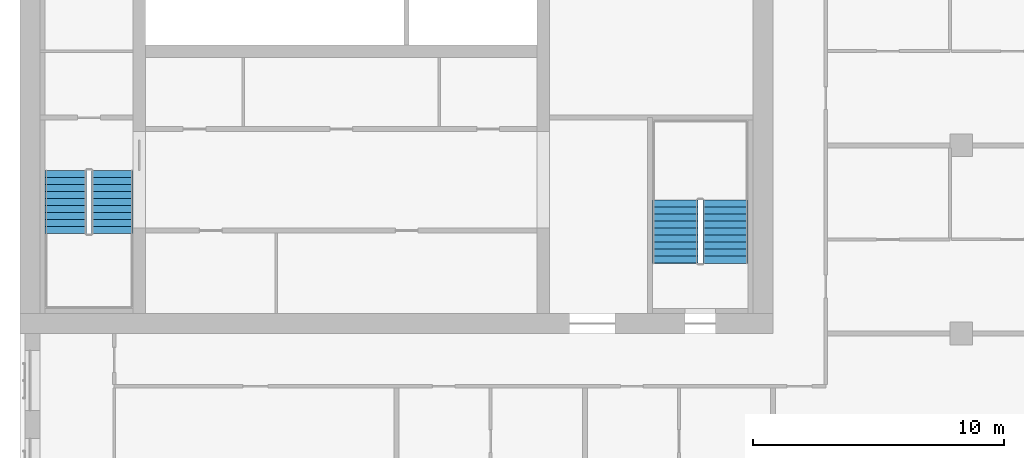
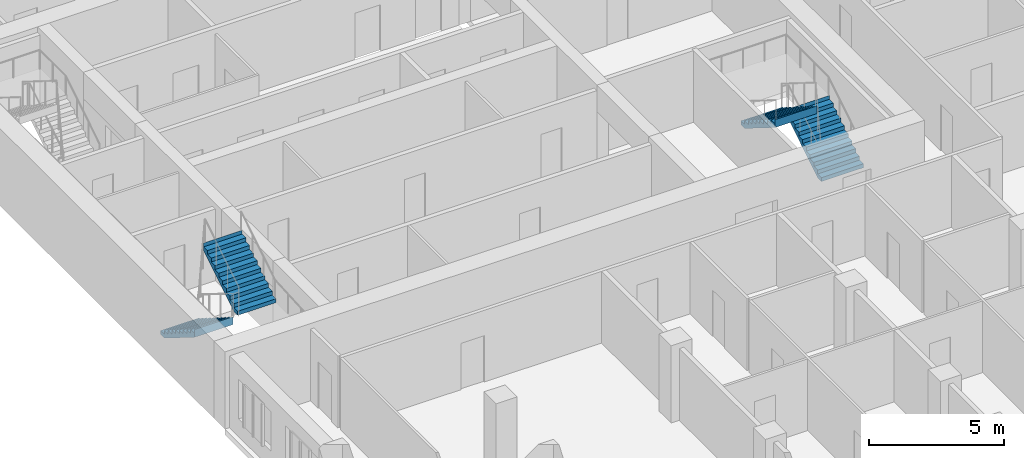
# One storey, part 12 of 14: 4 stair flights, 2 elements without a shape of their own.
"""IFC4 building model written with IfcOpenShell, lengths in metres."""

from ifc_helpers import new_model, si_unit, direction, frame, origin, place, context, subcontext, project, spatial, polyline, outline, extrude, material, type_object, element, aggregate, save


model = new_model("IFC4")

# Units and contexts
model_context = context("Model", 3, precision=1e-05, world=origin(), true_north=direction((0.0, 1.0)))
body_context = subcontext(model_context, "Body", "Model", "MODEL_VIEW")
ifc_project = project(units=[si_unit("LENGTHUNIT", "METRE"), si_unit("AREAUNIT", "SQUARE_METRE"), si_unit("VOLUMEUNIT", "CUBIC_METRE"), si_unit("PLANEANGLEUNIT", "RADIAN"), si_unit("MASSUNIT", "GRAM", prefix="KILO")], contexts=[model_context])

# Site, building, storey
site_placement = place(None, origin())
site = spatial("IfcSite", under=ifc_project, at=site_placement, CompositionType="ELEMENT")
building_placement = place(site_placement, origin())
building = spatial("IfcBuilding", under=site, at=building_placement, Name="Tamorin Gate", CompositionType="ELEMENT")
storey_placement = place(building_placement, frame((0.0, 0.0, 189.699951171875)))
storey = spatial("IfcBuildingStorey", under=building, at=storey_placement, Name="L46", CompositionType="ELEMENT", Elevation=189.699951171875)

# Stair, stair flights
ifc_material = material(Name="Concrete C40/50", Category="concrete")
stair_type = type_object("IfcStairType", Name="Exit stair", PredefinedType="HALF_TURN_STAIR", material=ifc_material)
stair_1_placement = place(storey_placement, origin())
stair_1 = element("IfcStair", 1, at=stair_1_placement, inside=storey, type_object=stair_type, Name="L46 stair ST1", PredefinedType="HALF_TURN_STAIR")
stair_flight_type = type_object("IfcStairFlightType", Name="Exit stair flight", PredefinedType="STRAIGHT", material=ifc_material)
stair_flight_1_placement = place(storey_placement, frame((31.824951171875, 66.5, 0.0), z_axis=(0.0, 0.0, 1.0), x_axis=(0.0, -1.0, 0.0)))
stair_flight_1 = element("IfcStairFlight", 2, at=stair_flight_1_placement, type_object=stair_flight_type, Name="ST1 flight 1", NumberOfRisers=10, NumberOfTreads=9, PredefinedType="STRAIGHT", RiserHeight=0.175, TreadLength=0.28, context=body_context, shape_type="SweptSolid", body=[
    extrude(outline(polyline([(-0.00048828125, 0.0), (-0.00048828125, 0.001708984375), (-0.00048828125, 0.00341796875), (-0.00048828125, 0.005126953125), (-0.00048828125, 0.0068359375), (-0.00048828125, 0.008544921875), (-0.00048828125, 0.010498046875), (-0.00048828125, 0.01220703125), (-0.00048828125, 0.013916015625), (-0.00048828125, 0.015625), (-0.00048828125, 0.017333984375), (-0.00048828125, 0.01904296875), (-0.00048828125, 0.020751953125), (-0.00048828125, 0.0224609375), (-0.00048828125, 0.024169921875), (-0.00048828125, 0.02587890625), (-0.00048828125, 0.02783203125), (-0.00048828125, 0.029541015625), (-0.00048828125, 0.03125), (-0.00048828125, 0.032958984375), (-0.00048828125, 0.03466796875), (-0.00048828125, 0.036376953125), (-0.00048828125, 0.0380859375), (-0.00048828125, 0.039794921875), (-0.00048828125, 0.04150390625), (-0.00048828125, 0.043212890625), (-0.00048828125, 0.045166015625), (-0.00048828125, 0.046875), (-0.00048828125, 0.048583984375), (-0.00048828125, 0.05029296875), (-0.00048828125, 0.052001953125), (-0.00048828125, 0.0537109375), (-0.00048828125, 0.055419921875), (-0.00048828125, 0.05712890625), (-0.00048828125, 0.058837890625), (-0.00048828125, 0.060546875), (-0.00048828125, 0.062255859375), (-0.00048828125, 0.064208984375), (-0.00048828125, 0.06591796875), (-0.00048828125, 0.067626953125), (-0.00048828125, 0.0693359375), (-0.00048828125, 0.071044921875), (-0.00048828125, 0.07275390625), (-0.00048828125, 0.074462890625), (-0.00048828125, 0.076171875), (-0.00048828125, 0.077880859375), (-0.00048828125, 0.07958984375), (-0.00048828125, 0.08154296875), (-0.00048828125, 0.083251953125), (-0.00048828125, 0.0849609375), (-0.00048828125, 0.086669921875), (-0.00048828125, 0.08837890625), (-0.00048828125, 0.090087890625), (-0.00048828125, 0.091796875), (-0.00048828125, 0.093505859375), (-0.00048828125, 0.09521484375), (-0.00048828125, 0.096923828125), (-0.00048828125, 0.098876953125), (-0.00048828125, 0.1005859375), (-0.00048828125, 0.102294921875), (-0.00048828125, 0.10400390625), (-0.00048828125, 0.105712890625), (-0.00048828125, 0.107421875), (-0.00048828125, 0.109130859375), (-0.00048828125, 0.11083984375), (-0.00048828125, 0.112548828125), (-0.00048828125, 0.1142578125), (-0.00048828125, 0.1162109375), (-0.00048828125, 0.117919921875), (-0.00048828125, 0.11962890625), (-0.00048828125, 0.121337890625), (-0.00048828125, 0.123046875), (-0.00048828125, 0.124755859375), (-0.00048828125, 0.12646484375), (-0.00048828125, 0.128173828125), (-0.00048828125, 0.1298828125), (-0.00048828125, 0.131591796875), (-0.00048828125, 0.13330078125), (-0.00048828125, 0.13525390625), (-0.00048828125, 0.136962890625), (-0.00048828125, 0.138671875), (-0.00048828125, 0.140380859375), (-0.00048828125, 0.14208984375), (-0.00048828125, 0.143798828125), (-0.00048828125, 0.1455078125), (-0.00048828125, 0.147216796875), (-0.00048828125, 0.14892578125), (-0.00048828125, 0.150634765625), (-0.00048828125, 0.152587890625), (-0.00048828125, 0.154296875), (-0.00048828125, 0.156005859375), (-0.00048828125, 0.15771484375), (-0.00048828125, 0.159423828125), (-0.00048828125, 0.1611328125), (-0.00048828125, 0.162841796875), (-0.00048828125, 0.16455078125), (-0.00048828125, 0.166259765625), (-0.00048828125, 0.16796875), (-0.00048828125, 0.169921875), (-0.00048828125, 0.171630859375), (-0.00048828125, 0.17333984375), (-0.00048828125, 0.175048828125), (0.280029296875, 0.175048828125), (0.280029296875, 0.35009765625), (0.56005859375, 0.35009765625), (0.56005859375, 0.52490234375), (0.840087890625, 0.52490234375), (0.840087890625, 0.699951171875), (1.1201171875, 0.699951171875), (1.1201171875, 0.875), (1.39990234375, 0.875), (1.39990234375, 1.050048828125), (1.679931640625, 1.050048828125), (1.679931640625, 1.22509765625), (1.9599609375, 1.22509765625), (1.9599609375, 1.39990234375), (2.239990234375, 1.39990234375), (2.239990234375, 1.574951171875), (2.52001953125, 1.574951171875), (2.52001953125, 1.75), (2.5205078125, 1.75), (2.5205078125, 1.74658203125), (2.5205078125, 1.742919921875), (2.5205078125, 1.739501953125), (2.5205078125, 1.736083984375), (2.5205078125, 1.732666015625), (2.5205078125, 1.72900390625), (2.5205078125, 1.7255859375), (2.5205078125, 1.72216796875), (2.5205078125, 1.71875), (2.5205078125, 1.715087890625), (2.5205078125, 1.711669921875), (2.5205078125, 1.708251953125), (2.5205078125, 1.704833984375), (2.5205078125, 1.701171875), (2.5205078125, 1.69775390625), (2.5205078125, 1.6943359375), (2.5205078125, 1.690673828125), (2.5205078125, 1.687255859375), (2.5205078125, 1.683837890625), (2.5205078125, 1.680419921875), (2.5205078125, 1.6767578125), (2.5205078125, 1.67333984375), (2.5205078125, 1.669921875), (2.5205078125, 1.66650390625), (2.5205078125, 1.662841796875), (2.5205078125, 1.659423828125), (2.5205078125, 1.656005859375), (2.5205078125, 1.652587890625), (2.5205078125, 1.64892578125), (2.5205078125, 1.6455078125), (2.5205078125, 1.64208984375), (2.5205078125, 1.638427734375), (2.5205078125, 1.635009765625), (2.5205078125, 1.631591796875), (2.5205078125, 1.628173828125), (2.5205078125, 1.62451171875), (2.5205078125, 1.62109375), (2.5205078125, 1.61767578125), (2.5205078125, 1.6142578125), (2.5205078125, 1.610595703125), (2.5205078125, 1.607177734375), (2.5205078125, 1.603759765625), (2.5205078125, 1.600341796875), (2.5205078125, 1.5966796875), (2.5205078125, 1.59326171875), (2.5205078125, 1.58984375), (2.5205078125, 1.58642578125), (2.5205078125, 1.582763671875), (2.5205078125, 1.579345703125), (2.5205078125, 1.575927734375), (2.5205078125, 1.572265625), (2.5205078125, 1.56884765625), (2.5205078125, 1.5654296875), (2.5205078125, 1.56201171875), (2.5205078125, 1.558349609375), (2.5205078125, 1.554931640625), (2.5205078125, 1.551513671875), (2.5205078125, 1.548095703125), (2.5205078125, 1.54443359375), (2.5205078125, 1.541015625), (2.5205078125, 1.53759765625), (2.5205078125, 1.5341796875), (2.5205078125, 1.530517578125), (2.5205078125, 1.527099609375), (2.5205078125, 1.523681640625), (2.5205078125, 1.52001953125), (2.5205078125, 1.5166015625), (2.5205078125, 1.51318359375), (2.5205078125, 1.509765625), (2.5205078125, 1.506103515625), (2.5205078125, 1.502685546875), (2.5205078125, 1.499267578125), (2.5205078125, 1.495849609375), (2.5205078125, 1.4921875), (2.5205078125, 1.48876953125), (2.5205078125, 1.4853515625), (2.5205078125, 1.48193359375), (2.5205078125, 1.478271484375), (2.5205078125, 1.474853515625), (2.5205078125, 1.471435546875), (2.5205078125, 1.4677734375), (2.5205078125, 1.46435546875), (2.5205078125, 1.4609375), (2.5205078125, 1.45751953125), (2.5205078125, 1.453857421875), (2.5205078125, 1.450439453125), (2.5205078125, 1.447021484375), (2.5205078125, 1.443603515625), (2.5205078125, 1.43994140625), (2.5205078125, 1.4365234375), (2.5205078125, 1.43310546875), (2.5205078125, 1.4296875), (2.5205078125, 1.426025390625), (2.5205078125, 1.422607421875), (2.5205078125, 1.419189453125), (2.5205078125, 1.41552734375), (2.5205078125, 1.412109375), (2.5205078125, 1.40869140625), (2.5205078125, 1.4052734375), (2.5205078125, 1.401611328125), (2.5205078125, 1.398193359375), (2.52001953125, 1.398193359375), (0.28271484375, 0.0), (-0.00048828125, 0.0)])), frame((0.0, 0.824951171875, 0.0), z_axis=(0.0, -1.0, 0.0), x_axis=(1.0, 0.0, 0.0)), (0.0, 0.0, 1.0), 1.64990234375),
])
stair_flight_2_placement = place(storey_placement, frame((33.675048828125, 63.97998046875, 1.75), z_axis=(0.0, 0.0, 1.0), x_axis=(0.0, 1.0, 0.0)))
stair_flight_2 = element("IfcStairFlight", 3, at=stair_flight_2_placement, type_object=stair_flight_type, Name="ST1 flight 2", NumberOfRisers=10, NumberOfTreads=9, PredefinedType="STRAIGHT", RiserHeight=0.175, TreadLength=0.28, context=body_context, shape_type="SweptSolid", body=[
    extrude(outline(polyline([(-0.00048828125, 0.0), (-0.00048828125, 0.001708984375), (-0.00048828125, 0.00341796875), (-0.00048828125, 0.005126953125), (-0.00048828125, 0.0068359375), (-0.00048828125, 0.008544921875), (-0.00048828125, 0.010498046875), (-0.00048828125, 0.01220703125), (-0.00048828125, 0.013916015625), (-0.00048828125, 0.015625), (-0.00048828125, 0.017333984375), (-0.00048828125, 0.01904296875), (-0.00048828125, 0.020751953125), (-0.00048828125, 0.0224609375), (-0.00048828125, 0.024169921875), (-0.00048828125, 0.02587890625), (-0.00048828125, 0.02783203125), (-0.00048828125, 0.029541015625), (-0.00048828125, 0.03125), (-0.00048828125, 0.032958984375), (-0.00048828125, 0.03466796875), (-0.00048828125, 0.036376953125), (-0.00048828125, 0.0380859375), (-0.00048828125, 0.039794921875), (-0.00048828125, 0.04150390625), (-0.00048828125, 0.043212890625), (-0.00048828125, 0.045166015625), (-0.00048828125, 0.046875), (-0.00048828125, 0.048583984375), (-0.00048828125, 0.05029296875), (-0.00048828125, 0.052001953125), (-0.00048828125, 0.0537109375), (-0.00048828125, 0.055419921875), (-0.00048828125, 0.05712890625), (-0.00048828125, 0.058837890625), (-0.00048828125, 0.060546875), (-0.00048828125, 0.062255859375), (-0.00048828125, 0.064208984375), (-0.00048828125, 0.06591796875), (-0.00048828125, 0.067626953125), (-0.00048828125, 0.0693359375), (-0.00048828125, 0.071044921875), (-0.00048828125, 0.07275390625), (-0.00048828125, 0.074462890625), (-0.00048828125, 0.076171875), (-0.00048828125, 0.077880859375), (-0.00048828125, 0.07958984375), (-0.00048828125, 0.08154296875), (-0.00048828125, 0.083251953125), (-0.00048828125, 0.0849609375), (-0.00048828125, 0.086669921875), (-0.00048828125, 0.08837890625), (-0.00048828125, 0.090087890625), (-0.00048828125, 0.091796875), (-0.00048828125, 0.093505859375), (-0.00048828125, 0.09521484375), (-0.00048828125, 0.096923828125), (-0.00048828125, 0.098876953125), (-0.00048828125, 0.1005859375), (-0.00048828125, 0.102294921875), (-0.00048828125, 0.10400390625), (-0.00048828125, 0.105712890625), (-0.00048828125, 0.107421875), (-0.00048828125, 0.109130859375), (-0.00048828125, 0.11083984375), (-0.00048828125, 0.112548828125), (-0.00048828125, 0.1142578125), (-0.00048828125, 0.1162109375), (-0.00048828125, 0.117919921875), (-0.00048828125, 0.11962890625), (-0.00048828125, 0.121337890625), (-0.00048828125, 0.123046875), (-0.00048828125, 0.124755859375), (-0.00048828125, 0.12646484375), (-0.00048828125, 0.128173828125), (-0.00048828125, 0.1298828125), (-0.00048828125, 0.131591796875), (-0.00048828125, 0.13330078125), (-0.00048828125, 0.13525390625), (-0.00048828125, 0.136962890625), (-0.00048828125, 0.138671875), (-0.00048828125, 0.140380859375), (-0.00048828125, 0.14208984375), (-0.00048828125, 0.143798828125), (-0.00048828125, 0.1455078125), (-0.00048828125, 0.147216796875), (-0.00048828125, 0.14892578125), (-0.00048828125, 0.150634765625), (-0.00048828125, 0.152587890625), (-0.00048828125, 0.154296875), (-0.00048828125, 0.156005859375), (-0.00048828125, 0.15771484375), (-0.00048828125, 0.159423828125), (-0.00048828125, 0.1611328125), (-0.00048828125, 0.162841796875), (-0.00048828125, 0.16455078125), (-0.00048828125, 0.166259765625), (-0.00048828125, 0.16796875), (-0.00048828125, 0.169921875), (-0.00048828125, 0.171630859375), (-0.00048828125, 0.17333984375), (-0.00048828125, 0.175048828125), (0.280029296875, 0.175048828125), (0.280029296875, 0.35009765625), (0.56005859375, 0.35009765625), (0.56005859375, 0.52490234375), (0.840087890625, 0.52490234375), (0.840087890625, 0.699951171875), (1.1201171875, 0.699951171875), (1.1201171875, 0.875), (1.39990234375, 0.875), (1.39990234375, 1.050048828125), (1.679931640625, 1.050048828125), (1.679931640625, 1.22509765625), (1.9599609375, 1.22509765625), (1.9599609375, 1.39990234375), (2.239990234375, 1.39990234375), (2.239990234375, 1.574951171875), (2.52001953125, 1.574951171875), (2.52001953125, 1.75), (2.5205078125, 1.75), (2.5205078125, 1.74658203125), (2.5205078125, 1.742919921875), (2.5205078125, 1.739501953125), (2.5205078125, 1.736083984375), (2.5205078125, 1.732666015625), (2.5205078125, 1.72900390625), (2.5205078125, 1.7255859375), (2.5205078125, 1.72216796875), (2.5205078125, 1.71875), (2.5205078125, 1.715087890625), (2.5205078125, 1.711669921875), (2.5205078125, 1.708251953125), (2.5205078125, 1.704833984375), (2.5205078125, 1.701171875), (2.5205078125, 1.69775390625), (2.5205078125, 1.6943359375), (2.5205078125, 1.690673828125), (2.5205078125, 1.687255859375), (2.5205078125, 1.683837890625), (2.5205078125, 1.680419921875), (2.5205078125, 1.6767578125), (2.5205078125, 1.67333984375), (2.5205078125, 1.669921875), (2.5205078125, 1.66650390625), (2.5205078125, 1.662841796875), (2.5205078125, 1.659423828125), (2.5205078125, 1.656005859375), (2.5205078125, 1.652587890625), (2.5205078125, 1.64892578125), (2.5205078125, 1.6455078125), (2.5205078125, 1.64208984375), (2.5205078125, 1.638427734375), (2.5205078125, 1.635009765625), (2.5205078125, 1.631591796875), (2.5205078125, 1.628173828125), (2.5205078125, 1.62451171875), (2.5205078125, 1.62109375), (2.5205078125, 1.61767578125), (2.5205078125, 1.6142578125), (2.5205078125, 1.610595703125), (2.5205078125, 1.607177734375), (2.5205078125, 1.603759765625), (2.5205078125, 1.600341796875), (2.5205078125, 1.5966796875), (2.5205078125, 1.59326171875), (2.5205078125, 1.58984375), (2.5205078125, 1.58642578125), (2.5205078125, 1.582763671875), (2.5205078125, 1.579345703125), (2.5205078125, 1.575927734375), (2.5205078125, 1.572265625), (2.5205078125, 1.56884765625), (2.5205078125, 1.5654296875), (2.5205078125, 1.56201171875), (2.5205078125, 1.558349609375), (2.5205078125, 1.554931640625), (2.5205078125, 1.551513671875), (2.5205078125, 1.548095703125), (2.5205078125, 1.54443359375), (2.5205078125, 1.541015625), (2.5205078125, 1.53759765625), (2.5205078125, 1.5341796875), (2.5205078125, 1.530517578125), (2.5205078125, 1.527099609375), (2.5205078125, 1.523681640625), (2.5205078125, 1.52001953125), (2.5205078125, 1.5166015625), (2.5205078125, 1.51318359375), (2.5205078125, 1.509765625), (2.5205078125, 1.506103515625), (2.5205078125, 1.502685546875), (2.5205078125, 1.499267578125), (2.5205078125, 1.495849609375), (2.5205078125, 1.4921875), (2.5205078125, 1.48876953125), (2.5205078125, 1.4853515625), (2.5205078125, 1.48193359375), (2.5205078125, 1.478271484375), (2.5205078125, 1.474853515625), (2.5205078125, 1.471435546875), (2.5205078125, 1.4677734375), (2.5205078125, 1.46435546875), (2.5205078125, 1.4609375), (2.5205078125, 1.45751953125), (2.5205078125, 1.453857421875), (2.5205078125, 1.450439453125), (2.5205078125, 1.447021484375), (2.5205078125, 1.443603515625), (2.5205078125, 1.43994140625), (2.5205078125, 1.4365234375), (2.5205078125, 1.43310546875), (2.5205078125, 1.4296875), (2.5205078125, 1.426025390625), (2.5205078125, 1.422607421875), (2.5205078125, 1.419189453125), (2.5205078125, 1.41552734375), (2.5205078125, 1.412109375), (2.5205078125, 1.40869140625), (2.5205078125, 1.4052734375), (2.5205078125, 1.401611328125), (2.5205078125, 1.398193359375), (2.52001953125, 1.398193359375), (0.28271484375, 0.0), (-0.00048828125, 0.0)])), frame((0.0, 0.824951171875, 0.0), z_axis=(0.0, -1.0, 0.0), x_axis=(1.0, 0.0, 0.0)), (0.0, 0.0, 1.0), 1.64990234375),
])
aggregate(stair_1, [stair_flight_1, stair_flight_2])

stair_2_placement = place(storey_placement, origin())
stair_2 = element("IfcStair", 4, at=stair_2_placement, inside=storey, type_object=stair_type, Name="L46 stair ST3", PredefinedType="HALF_TURN_STAIR")
stair_flight_3_placement = place(storey_placement, frame((58.10009765625, 62.800048828125, 0.0), z_axis=(0.0, 0.0, 1.0), x_axis=(0.0, 1.0, 0.0)))
stair_flight_3 = element("IfcStairFlight", 5, at=stair_flight_3_placement, type_object=stair_flight_type, Name="ST3 flight 1", NumberOfRisers=10, NumberOfTreads=9, PredefinedType="STRAIGHT", RiserHeight=0.175, TreadLength=0.28, context=body_context, shape_type="SweptSolid", body=[
    extrude(outline(polyline([(-0.00048828125, 0.0), (-0.00048828125, 0.001708984375), (-0.00048828125, 0.00341796875), (-0.00048828125, 0.005126953125), (-0.00048828125, 0.0068359375), (-0.00048828125, 0.008544921875), (-0.00048828125, 0.010498046875), (-0.00048828125, 0.01220703125), (-0.00048828125, 0.013916015625), (-0.00048828125, 0.015625), (-0.00048828125, 0.017333984375), (-0.00048828125, 0.01904296875), (-0.00048828125, 0.020751953125), (-0.00048828125, 0.0224609375), (-0.00048828125, 0.024169921875), (-0.00048828125, 0.02587890625), (-0.00048828125, 0.02783203125), (-0.00048828125, 0.029541015625), (-0.00048828125, 0.03125), (-0.00048828125, 0.032958984375), (-0.00048828125, 0.03466796875), (-0.00048828125, 0.036376953125), (-0.00048828125, 0.0380859375), (-0.00048828125, 0.039794921875), (-0.00048828125, 0.04150390625), (-0.00048828125, 0.043212890625), (-0.00048828125, 0.045166015625), (-0.00048828125, 0.046875), (-0.00048828125, 0.048583984375), (-0.00048828125, 0.05029296875), (-0.00048828125, 0.052001953125), (-0.00048828125, 0.0537109375), (-0.00048828125, 0.055419921875), (-0.00048828125, 0.05712890625), (-0.00048828125, 0.058837890625), (-0.00048828125, 0.060546875), (-0.00048828125, 0.062255859375), (-0.00048828125, 0.064208984375), (-0.00048828125, 0.06591796875), (-0.00048828125, 0.067626953125), (-0.00048828125, 0.0693359375), (-0.00048828125, 0.071044921875), (-0.00048828125, 0.07275390625), (-0.00048828125, 0.074462890625), (-0.00048828125, 0.076171875), (-0.00048828125, 0.077880859375), (-0.00048828125, 0.07958984375), (-0.00048828125, 0.08154296875), (-0.00048828125, 0.083251953125), (-0.00048828125, 0.0849609375), (-0.00048828125, 0.086669921875), (-0.00048828125, 0.08837890625), (-0.00048828125, 0.090087890625), (-0.00048828125, 0.091796875), (-0.00048828125, 0.093505859375), (-0.00048828125, 0.09521484375), (-0.00048828125, 0.096923828125), (-0.00048828125, 0.098876953125), (-0.00048828125, 0.1005859375), (-0.00048828125, 0.102294921875), (-0.00048828125, 0.10400390625), (-0.00048828125, 0.105712890625), (-0.00048828125, 0.107421875), (-0.00048828125, 0.109130859375), (-0.00048828125, 0.11083984375), (-0.00048828125, 0.112548828125), (-0.00048828125, 0.1142578125), (-0.00048828125, 0.1162109375), (-0.00048828125, 0.117919921875), (-0.00048828125, 0.11962890625), (-0.00048828125, 0.121337890625), (-0.00048828125, 0.123046875), (-0.00048828125, 0.124755859375), (-0.00048828125, 0.12646484375), (-0.00048828125, 0.128173828125), (-0.00048828125, 0.1298828125), (-0.00048828125, 0.131591796875), (-0.00048828125, 0.13330078125), (-0.00048828125, 0.13525390625), (-0.00048828125, 0.136962890625), (-0.00048828125, 0.138671875), (-0.00048828125, 0.140380859375), (-0.00048828125, 0.14208984375), (-0.00048828125, 0.143798828125), (-0.00048828125, 0.1455078125), (-0.00048828125, 0.147216796875), (-0.00048828125, 0.14892578125), (-0.00048828125, 0.150634765625), (-0.00048828125, 0.152587890625), (-0.00048828125, 0.154296875), (-0.00048828125, 0.156005859375), (-0.00048828125, 0.15771484375), (-0.00048828125, 0.159423828125), (-0.00048828125, 0.1611328125), (-0.00048828125, 0.162841796875), (-0.00048828125, 0.16455078125), (-0.00048828125, 0.166259765625), (-0.00048828125, 0.16796875), (-0.00048828125, 0.169921875), (-0.00048828125, 0.171630859375), (-0.00048828125, 0.17333984375), (-0.00048828125, 0.175048828125), (0.280029296875, 0.175048828125), (0.280029296875, 0.35009765625), (0.56005859375, 0.35009765625), (0.56005859375, 0.52490234375), (0.840087890625, 0.52490234375), (0.840087890625, 0.699951171875), (1.1201171875, 0.699951171875), (1.1201171875, 0.875), (1.39990234375, 0.875), (1.39990234375, 1.050048828125), (1.679931640625, 1.050048828125), (1.679931640625, 1.22509765625), (1.9599609375, 1.22509765625), (1.9599609375, 1.39990234375), (2.239990234375, 1.39990234375), (2.239990234375, 1.574951171875), (2.52001953125, 1.574951171875), (2.52001953125, 1.75), (2.5205078125, 1.75), (2.5205078125, 1.74658203125), (2.5205078125, 1.742919921875), (2.5205078125, 1.739501953125), (2.5205078125, 1.736083984375), (2.5205078125, 1.732666015625), (2.5205078125, 1.72900390625), (2.5205078125, 1.7255859375), (2.5205078125, 1.72216796875), (2.5205078125, 1.71875), (2.5205078125, 1.715087890625), (2.5205078125, 1.711669921875), (2.5205078125, 1.708251953125), (2.5205078125, 1.704833984375), (2.5205078125, 1.701171875), (2.5205078125, 1.69775390625), (2.5205078125, 1.6943359375), (2.5205078125, 1.690673828125), (2.5205078125, 1.687255859375), (2.5205078125, 1.683837890625), (2.5205078125, 1.680419921875), (2.5205078125, 1.6767578125), (2.5205078125, 1.67333984375), (2.5205078125, 1.669921875), (2.5205078125, 1.66650390625), (2.5205078125, 1.662841796875), (2.5205078125, 1.659423828125), (2.5205078125, 1.656005859375), (2.5205078125, 1.652587890625), (2.5205078125, 1.64892578125), (2.5205078125, 1.6455078125), (2.5205078125, 1.64208984375), (2.5205078125, 1.638427734375), (2.5205078125, 1.635009765625), (2.5205078125, 1.631591796875), (2.5205078125, 1.628173828125), (2.5205078125, 1.62451171875), (2.5205078125, 1.62109375), (2.5205078125, 1.61767578125), (2.5205078125, 1.6142578125), (2.5205078125, 1.610595703125), (2.5205078125, 1.607177734375), (2.5205078125, 1.603759765625), (2.5205078125, 1.600341796875), (2.5205078125, 1.5966796875), (2.5205078125, 1.59326171875), (2.5205078125, 1.58984375), (2.5205078125, 1.58642578125), (2.5205078125, 1.582763671875), (2.5205078125, 1.579345703125), (2.5205078125, 1.575927734375), (2.5205078125, 1.572265625), (2.5205078125, 1.56884765625), (2.5205078125, 1.5654296875), (2.5205078125, 1.56201171875), (2.5205078125, 1.558349609375), (2.5205078125, 1.554931640625), (2.5205078125, 1.551513671875), (2.5205078125, 1.548095703125), (2.5205078125, 1.54443359375), (2.5205078125, 1.541015625), (2.5205078125, 1.53759765625), (2.5205078125, 1.5341796875), (2.5205078125, 1.530517578125), (2.5205078125, 1.527099609375), (2.5205078125, 1.523681640625), (2.5205078125, 1.52001953125), (2.5205078125, 1.5166015625), (2.5205078125, 1.51318359375), (2.5205078125, 1.509765625), (2.5205078125, 1.506103515625), (2.5205078125, 1.502685546875), (2.5205078125, 1.499267578125), (2.5205078125, 1.495849609375), (2.5205078125, 1.4921875), (2.5205078125, 1.48876953125), (2.5205078125, 1.4853515625), (2.5205078125, 1.48193359375), (2.5205078125, 1.478271484375), (2.5205078125, 1.474853515625), (2.5205078125, 1.471435546875), (2.5205078125, 1.4677734375), (2.5205078125, 1.46435546875), (2.5205078125, 1.4609375), (2.5205078125, 1.45751953125), (2.5205078125, 1.453857421875), (2.5205078125, 1.450439453125), (2.5205078125, 1.447021484375), (2.5205078125, 1.443603515625), (2.5205078125, 1.43994140625), (2.5205078125, 1.4365234375), (2.5205078125, 1.43310546875), (2.5205078125, 1.4296875), (2.5205078125, 1.426025390625), (2.5205078125, 1.422607421875), (2.5205078125, 1.419189453125), (2.5205078125, 1.41552734375), (2.5205078125, 1.412109375), (2.5205078125, 1.40869140625), (2.5205078125, 1.4052734375), (2.5205078125, 1.401611328125), (2.5205078125, 1.398193359375), (2.52001953125, 1.398193359375), (0.28271484375, 0.0), (-0.00048828125, 0.0)])), frame((0.0, 0.89990234375, 0.0), z_axis=(0.0, -1.0, 0.0), x_axis=(1.0, 0.0, 0.0)), (0.0, 0.0, 1.0), 1.800048828125),
])
stair_flight_4_placement = place(storey_placement, frame((56.10009765625, 65.320068359375, 1.75), z_axis=(0.0, 0.0, 1.0), x_axis=(0.0, -1.0, 0.0)))
stair_flight_4 = element("IfcStairFlight", 6, at=stair_flight_4_placement, type_object=stair_flight_type, Name="ST3 flight 2", NumberOfRisers=10, NumberOfTreads=9, PredefinedType="STRAIGHT", RiserHeight=0.175, TreadLength=0.28, context=body_context, shape_type="SweptSolid", body=[
    extrude(outline(polyline([(-0.00048828125, 0.0), (-0.00048828125, 0.001708984375), (-0.00048828125, 0.00341796875), (-0.00048828125, 0.005126953125), (-0.00048828125, 0.0068359375), (-0.00048828125, 0.008544921875), (-0.00048828125, 0.010498046875), (-0.00048828125, 0.01220703125), (-0.00048828125, 0.013916015625), (-0.00048828125, 0.015625), (-0.00048828125, 0.017333984375), (-0.00048828125, 0.01904296875), (-0.00048828125, 0.020751953125), (-0.00048828125, 0.0224609375), (-0.00048828125, 0.024169921875), (-0.00048828125, 0.02587890625), (-0.00048828125, 0.02783203125), (-0.00048828125, 0.029541015625), (-0.00048828125, 0.03125), (-0.00048828125, 0.032958984375), (-0.00048828125, 0.03466796875), (-0.00048828125, 0.036376953125), (-0.00048828125, 0.0380859375), (-0.00048828125, 0.039794921875), (-0.00048828125, 0.04150390625), (-0.00048828125, 0.043212890625), (-0.00048828125, 0.045166015625), (-0.00048828125, 0.046875), (-0.00048828125, 0.048583984375), (-0.00048828125, 0.05029296875), (-0.00048828125, 0.052001953125), (-0.00048828125, 0.0537109375), (-0.00048828125, 0.055419921875), (-0.00048828125, 0.05712890625), (-0.00048828125, 0.058837890625), (-0.00048828125, 0.060546875), (-0.00048828125, 0.062255859375), (-0.00048828125, 0.064208984375), (-0.00048828125, 0.06591796875), (-0.00048828125, 0.067626953125), (-0.00048828125, 0.0693359375), (-0.00048828125, 0.071044921875), (-0.00048828125, 0.07275390625), (-0.00048828125, 0.074462890625), (-0.00048828125, 0.076171875), (-0.00048828125, 0.077880859375), (-0.00048828125, 0.07958984375), (-0.00048828125, 0.08154296875), (-0.00048828125, 0.083251953125), (-0.00048828125, 0.0849609375), (-0.00048828125, 0.086669921875), (-0.00048828125, 0.08837890625), (-0.00048828125, 0.090087890625), (-0.00048828125, 0.091796875), (-0.00048828125, 0.093505859375), (-0.00048828125, 0.09521484375), (-0.00048828125, 0.096923828125), (-0.00048828125, 0.098876953125), (-0.00048828125, 0.1005859375), (-0.00048828125, 0.102294921875), (-0.00048828125, 0.10400390625), (-0.00048828125, 0.105712890625), (-0.00048828125, 0.107421875), (-0.00048828125, 0.109130859375), (-0.00048828125, 0.11083984375), (-0.00048828125, 0.112548828125), (-0.00048828125, 0.1142578125), (-0.00048828125, 0.1162109375), (-0.00048828125, 0.117919921875), (-0.00048828125, 0.11962890625), (-0.00048828125, 0.121337890625), (-0.00048828125, 0.123046875), (-0.00048828125, 0.124755859375), (-0.00048828125, 0.12646484375), (-0.00048828125, 0.128173828125), (-0.00048828125, 0.1298828125), (-0.00048828125, 0.131591796875), (-0.00048828125, 0.13330078125), (-0.00048828125, 0.13525390625), (-0.00048828125, 0.136962890625), (-0.00048828125, 0.138671875), (-0.00048828125, 0.140380859375), (-0.00048828125, 0.14208984375), (-0.00048828125, 0.143798828125), (-0.00048828125, 0.1455078125), (-0.00048828125, 0.147216796875), (-0.00048828125, 0.14892578125), (-0.00048828125, 0.150634765625), (-0.00048828125, 0.152587890625), (-0.00048828125, 0.154296875), (-0.00048828125, 0.156005859375), (-0.00048828125, 0.15771484375), (-0.00048828125, 0.159423828125), (-0.00048828125, 0.1611328125), (-0.00048828125, 0.162841796875), (-0.00048828125, 0.16455078125), (-0.00048828125, 0.166259765625), (-0.00048828125, 0.16796875), (-0.00048828125, 0.169921875), (-0.00048828125, 0.171630859375), (-0.00048828125, 0.17333984375), (-0.00048828125, 0.175048828125), (0.280029296875, 0.175048828125), (0.280029296875, 0.35009765625), (0.56005859375, 0.35009765625), (0.56005859375, 0.52490234375), (0.840087890625, 0.52490234375), (0.840087890625, 0.699951171875), (1.1201171875, 0.699951171875), (1.1201171875, 0.875), (1.39990234375, 0.875), (1.39990234375, 1.050048828125), (1.679931640625, 1.050048828125), (1.679931640625, 1.22509765625), (1.9599609375, 1.22509765625), (1.9599609375, 1.39990234375), (2.239990234375, 1.39990234375), (2.239990234375, 1.574951171875), (2.52001953125, 1.574951171875), (2.52001953125, 1.75), (2.5205078125, 1.75), (2.5205078125, 1.74658203125), (2.5205078125, 1.742919921875), (2.5205078125, 1.739501953125), (2.5205078125, 1.736083984375), (2.5205078125, 1.732666015625), (2.5205078125, 1.72900390625), (2.5205078125, 1.7255859375), (2.5205078125, 1.72216796875), (2.5205078125, 1.71875), (2.5205078125, 1.715087890625), (2.5205078125, 1.711669921875), (2.5205078125, 1.708251953125), (2.5205078125, 1.704833984375), (2.5205078125, 1.701171875), (2.5205078125, 1.69775390625), (2.5205078125, 1.6943359375), (2.5205078125, 1.690673828125), (2.5205078125, 1.687255859375), (2.5205078125, 1.683837890625), (2.5205078125, 1.680419921875), (2.5205078125, 1.6767578125), (2.5205078125, 1.67333984375), (2.5205078125, 1.669921875), (2.5205078125, 1.66650390625), (2.5205078125, 1.662841796875), (2.5205078125, 1.659423828125), (2.5205078125, 1.656005859375), (2.5205078125, 1.652587890625), (2.5205078125, 1.64892578125), (2.5205078125, 1.6455078125), (2.5205078125, 1.64208984375), (2.5205078125, 1.638427734375), (2.5205078125, 1.635009765625), (2.5205078125, 1.631591796875), (2.5205078125, 1.628173828125), (2.5205078125, 1.62451171875), (2.5205078125, 1.62109375), (2.5205078125, 1.61767578125), (2.5205078125, 1.6142578125), (2.5205078125, 1.610595703125), (2.5205078125, 1.607177734375), (2.5205078125, 1.603759765625), (2.5205078125, 1.600341796875), (2.5205078125, 1.5966796875), (2.5205078125, 1.59326171875), (2.5205078125, 1.58984375), (2.5205078125, 1.58642578125), (2.5205078125, 1.582763671875), (2.5205078125, 1.579345703125), (2.5205078125, 1.575927734375), (2.5205078125, 1.572265625), (2.5205078125, 1.56884765625), (2.5205078125, 1.5654296875), (2.5205078125, 1.56201171875), (2.5205078125, 1.558349609375), (2.5205078125, 1.554931640625), (2.5205078125, 1.551513671875), (2.5205078125, 1.548095703125), (2.5205078125, 1.54443359375), (2.5205078125, 1.541015625), (2.5205078125, 1.53759765625), (2.5205078125, 1.5341796875), (2.5205078125, 1.530517578125), (2.5205078125, 1.527099609375), (2.5205078125, 1.523681640625), (2.5205078125, 1.52001953125), (2.5205078125, 1.5166015625), (2.5205078125, 1.51318359375), (2.5205078125, 1.509765625), (2.5205078125, 1.506103515625), (2.5205078125, 1.502685546875), (2.5205078125, 1.499267578125), (2.5205078125, 1.495849609375), (2.5205078125, 1.4921875), (2.5205078125, 1.48876953125), (2.5205078125, 1.4853515625), (2.5205078125, 1.48193359375), (2.5205078125, 1.478271484375), (2.5205078125, 1.474853515625), (2.5205078125, 1.471435546875), (2.5205078125, 1.4677734375), (2.5205078125, 1.46435546875), (2.5205078125, 1.4609375), (2.5205078125, 1.45751953125), (2.5205078125, 1.453857421875), (2.5205078125, 1.450439453125), (2.5205078125, 1.447021484375), (2.5205078125, 1.443603515625), (2.5205078125, 1.43994140625), (2.5205078125, 1.4365234375), (2.5205078125, 1.43310546875), (2.5205078125, 1.4296875), (2.5205078125, 1.426025390625), (2.5205078125, 1.422607421875), (2.5205078125, 1.419189453125), (2.5205078125, 1.41552734375), (2.5205078125, 1.412109375), (2.5205078125, 1.40869140625), (2.5205078125, 1.4052734375), (2.5205078125, 1.401611328125), (2.5205078125, 1.398193359375), (2.52001953125, 1.398193359375), (0.28271484375, 0.0), (-0.00048828125, 0.0)])), frame((0.0, 0.89990234375, 0.0), z_axis=(0.0, -1.0, 0.0), x_axis=(1.0, 0.0, 0.0)), (0.0, 0.0, 1.0), 1.800048828125),
])
aggregate(stair_2, [stair_flight_3, stair_flight_4])

save(model, "model.ifc")
